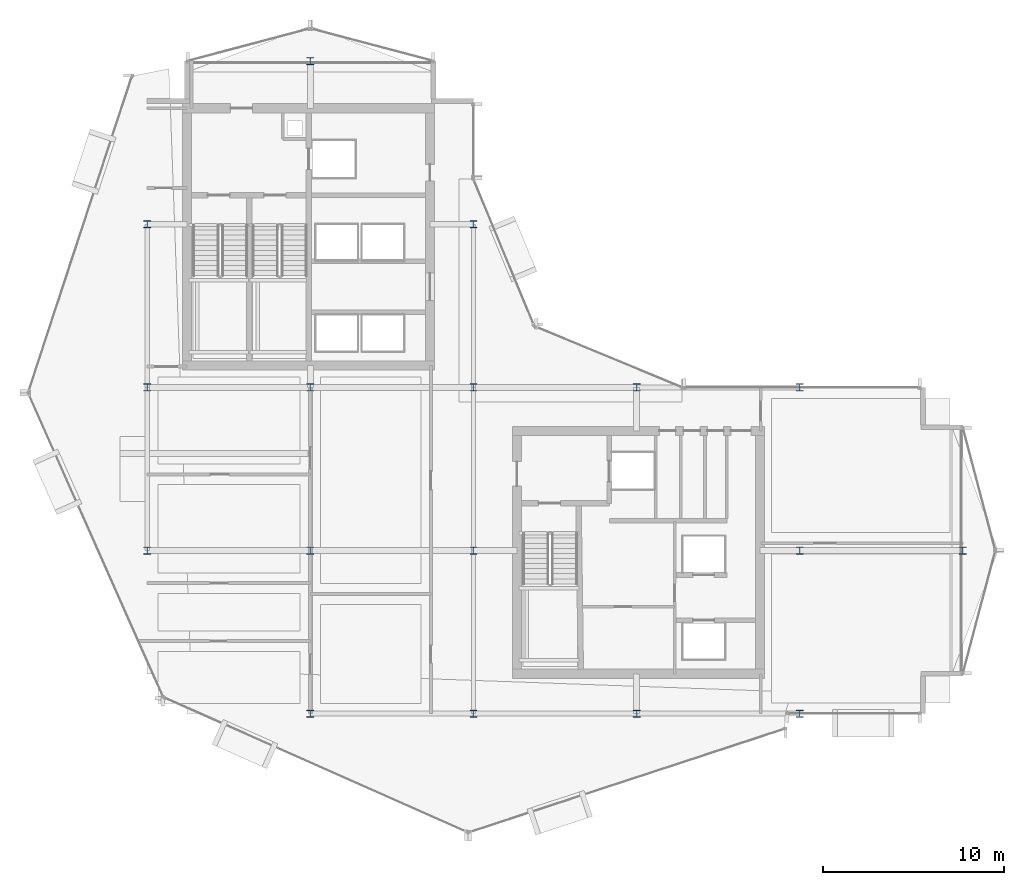
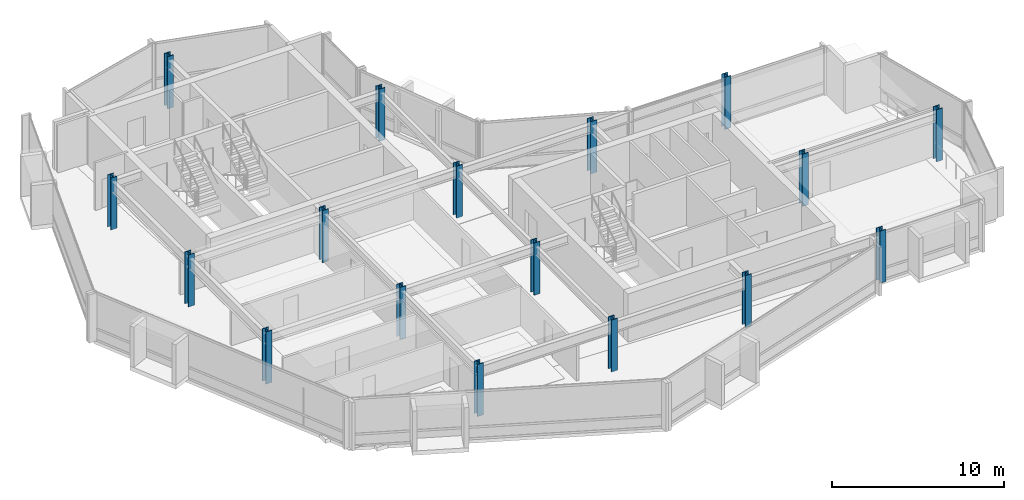
# One storey, part 1 of 27: 17 columns.
"""IFC4 building model written with IfcOpenShell, lengths in metres."""

from ifc_helpers import new_model, si_unit, direction, frame, origin, origin_2d, place, context, subcontext, project, spatial, i_section, extrude, material, material_profile, profile_set, type_object, element, save


model = new_model("IFC4")

# Units and contexts
model_context = context("Model", 3, precision=1e-05, world=origin(), true_north=direction((0.0, 1.0)))
body_context = subcontext(model_context, "Body", "Model", "MODEL_VIEW")
ifc_project = project(units=[si_unit("LENGTHUNIT", "METRE"), si_unit("AREAUNIT", "SQUARE_METRE"), si_unit("VOLUMEUNIT", "CUBIC_METRE"), si_unit("PLANEANGLEUNIT", "RADIAN"), si_unit("MASSUNIT", "GRAM", prefix="KILO")], contexts=[model_context])

# Site, building, storey
site_placement = place(None, origin())
site = spatial("IfcSite", under=ifc_project, at=site_placement, CompositionType="ELEMENT")
building_placement = place(site_placement, origin())
building = spatial("IfcBuilding", under=site, at=building_placement, Name="Solvaryn Broadcast Tower", CompositionType="ELEMENT")
storey_placement = place(building_placement, frame((0.0, 0.0, 177.89990234375)))
storey = spatial("IfcBuildingStorey", under=building, at=storey_placement, Name="L44", CompositionType="ELEMENT", Elevation=177.89990234375)

# Columns
ifc_material_1 = material(Name="Steel ASTM A913 Grade 65", Category="steel")
ifc_material_profile_1 = material_profile(ifc_material_1, i_section(OverallWidth=0.406005859375, OverallDepth=0.416015625, WebThickness=0.02978515625, FlangeThickness=0.048095703125, FilletRadius=0.014892578125, at=origin_2d()))
ifc_profile_set_1 = profile_set([ifc_material_profile_1], Name="Steel ASTM A913 Grade 65")
column_type_1 = type_object("IfcColumnType", Name="COL-C07E-W14X257", PredefinedType="COLUMN", material=ifc_profile_set_1)
for number, where, z_axis, x_axis, name in (
    (1, (9.0, 18.0, 0.0), (0.0, 0.0, 1.0), (1.0, 0.0, 0.0), "L44 Column (9.0, 18.0)"),
    (2, (9.0, 27.0, 0.0), (0.0, 0.0, 1.0), (1.0, 0.0, 0.0), "L44 Column (9.0, 27.0)"),
    (3, (9.0, 36.0, 0.0), (0.0, 0.0, 1.0), (1.0, 0.0, 0.0), "L44 Column (9.0, 36.0)"),
    (4, (18.0, 9.0, 0.0), (0.0, 0.0, 1.0), (1.0, 0.0, 0.0), "L44 Column (18.0, 9.0)"),
    (5, (18.0, 45.0, 0.0), (0.0, 0.0, 1.0), (1.0, 0.0, 0.0), "L44 Column (18.0, 45.0)"),
    (6, (27.0, 9.0, 0.0), (0.0, 0.0, 1.0), (1.0, 0.0, 0.0), "L44 Column (27.0, 9.0)"),
    (7, (27.0, 36.0, 0.0), (0.0, 0.0, 1.0), (1.0, 0.0, 0.0), "L44 Column (27.0, 36.0)"),
    (8, (36.0, 9.0, 0.0), (0.0, 0.0, 1.0), (1.0, 0.0, 0.0), "L44 Column (36.0, 9.0)"),
    (9, (36.0, 27.0, 0.0), (0.0, 0.0, 1.0), (1.0, 0.0, 0.0), "L44 Column (36.0, 27.0)"),
    (10, (45.0, 9.0, 0.0), (0.0, 0.0, 1.0), (1.0, 0.0, 0.0), "L44 Column (45.0, 9.0)"),
    (11, (45.0, 27.0, 0.0), (0.0, 0.0, 1.0), (1.0, 0.0, 0.0), "L44 Column (45.0, 27.0)"),
    (12, (54.0, 18.0, 0.0), (0.0, 0.0, 1.0), (1.0, 0.0, 0.0), "L44 Column (54.0, 18.0)"),
):
    element("IfcColumn", number, at=place(storey_placement, frame(where, z_axis=z_axis, x_axis=x_axis)), inside=storey, type_object=column_type_1, Name=name, PredefinedType="COLUMN", context=body_context, shape_type="SweptSolid", body=[
        extrude(i_section(OverallWidth=0.406005859375, OverallDepth=0.416015625, WebThickness=0.02978515625, FlangeThickness=0.048095703125, FilletRadius=0.014892578125, at=origin_2d()), origin(), (0.0, 0.0, 1.0), 3.7001953125),
    ])
ifc_material_2 = material(Name="Steel ASTM A913 Grade 65", Category="steel")
ifc_material_profile_2 = material_profile(ifc_material_2, i_section(OverallWidth=0.406005859375, OverallDepth=0.416015625, WebThickness=0.02978515625, FlangeThickness=0.048095703125, FilletRadius=0.014892578125, at=origin_2d()))
ifc_profile_set_2 = profile_set([ifc_material_profile_2], Name="Steel ASTM A913 Grade 65")
column_type_2 = type_object("IfcColumnType", Name="COL-C07I-W14X257", PredefinedType="COLUMN", material=ifc_profile_set_2)
for number, where, z_axis, x_axis, name in (
    (13, (18.0, 18.0, 0.0), (0.0, 0.0, 1.0), (1.0, 0.0, 0.0), "L44 Column (18.0, 18.0)"),
    (14, (18.0, 27.0, 0.0), (0.0, 0.0, 1.0), (1.0, 0.0, 0.0), "L44 Column (18.0, 27.0)"),
    (15, (27.0, 18.0, 0.0), (0.0, 0.0, 1.0), (1.0, 0.0, 0.0), "L44 Column (27.0, 18.0)"),
    (16, (27.0, 27.0, 0.0), (0.0, 0.0, 1.0), (1.0, 0.0, 0.0), "L44 Column (27.0, 27.0)"),
    (17, (45.0, 18.0, 0.0), (0.0, 0.0, 1.0), (1.0, 0.0, 0.0), "L44 Column (45.0, 18.0)"),
):
    element("IfcColumn", number, at=place(storey_placement, frame(where, z_axis=z_axis, x_axis=x_axis)), inside=storey, type_object=column_type_2, Name=name, PredefinedType="COLUMN", context=body_context, shape_type="SweptSolid", body=[
        extrude(i_section(OverallWidth=0.406005859375, OverallDepth=0.416015625, WebThickness=0.02978515625, FlangeThickness=0.048095703125, FilletRadius=0.014892578125, at=origin_2d()), origin(), (0.0, 0.0, 1.0), 3.7001953125),
    ])

save(model, "model.ifc")
